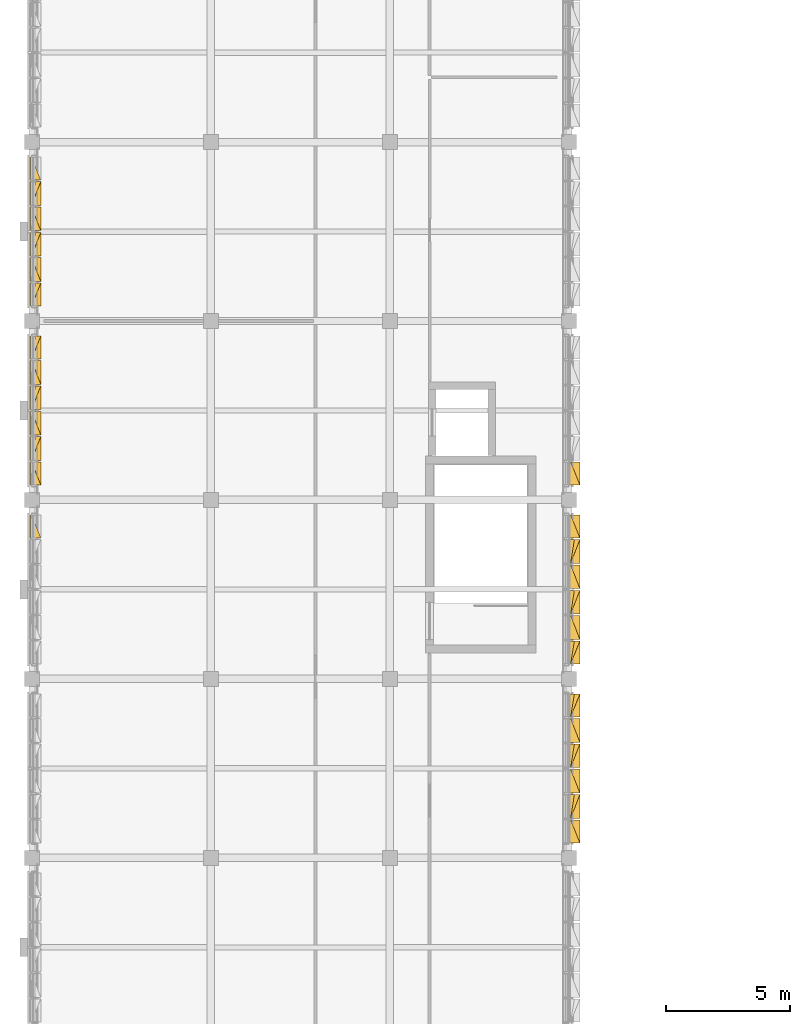
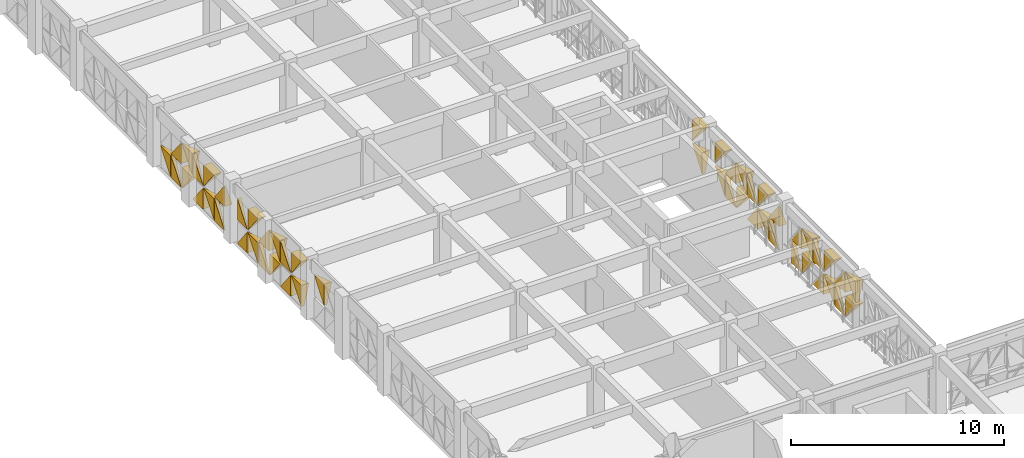
# One storey, part 71 of 74: 50 coverings.
"""IFC4 building model written with IfcOpenShell, lengths in metres."""

from ifc_helpers import new_model, si_unit, direction, frame, origin, place, context, subcontext, project, spatial, polygons, material, layer, layer_set, type_object, element, save


model = new_model("IFC4")

# Units and contexts
model_context = context("Model", 3, precision=1e-05, world=origin(), true_north=direction((0.0, 1.0)))
body_context = subcontext(model_context, "Body", "Model", "MODEL_VIEW")
ifc_project = project(units=[si_unit("LENGTHUNIT", "METRE"), si_unit("AREAUNIT", "SQUARE_METRE"), si_unit("VOLUMEUNIT", "CUBIC_METRE"), si_unit("PLANEANGLEUNIT", "RADIAN"), si_unit("MASSUNIT", "GRAM", prefix="KILO")], contexts=[model_context])

# Site, building, storey
site_placement = place(None, origin())
site = spatial("IfcSite", under=ifc_project, at=site_placement, CompositionType="ELEMENT")
building_placement = place(site_placement, origin())
building = spatial("IfcBuilding", under=site, at=building_placement, Name="Alvorim Cloister Faculty of Sciences", CompositionType="ELEMENT")
storey_placement = place(building_placement, frame((0.0, 0.0, 15.75)))
storey = spatial("IfcBuildingStorey", under=building, at=storey_placement, Name="L04", CompositionType="ELEMENT", Elevation=15.75)

# Coverings
ifc_material = material(Name="Perforated Bronze Alloy Sheet", Category="metal")
ifc_layer = layer(ifc_material, 0.0380859375)
ifc_layer_set = layer_set([ifc_layer], Name="Perforated Bronze Alloy Sheet")
covering_type = type_object("IfcCoveringType", Name="COV-TRI-BRZ", PredefinedType="CLADDING", material=ifc_layer_set)
covering_1_placement = place(storey_placement, frame((-0.044921875, 76.472412109375, 1.4951171875), z_axis=(0.0, 0.0, 1.0), x_axis=(0.0, 1.0, 0.0)))
element("IfcCovering", 1, at=covering_1_placement, inside=storey, type_object=covering_type, Name="Diagonal Solid Metal Triangle TRI-TL", PredefinedType="CLADDING", context=body_context, shape_type="Tessellation", body=[
    polygons([(0.920607421875, 0.0260009765625, 1.21484375), (0.0, 0.0260009765625, 1.21484375), (0.0, 0.0260009765625, 0.002), (0.920607421875, -0.03, 1.21484375), (0.0, -0.4, 1.21484375), (0.0, -0.13999999999999999, 0.002)], [[[1, 3, 2]], [[4, 5, 6]], [[1, 2, 5, 4]], [[2, 3, 6, 5]], [[3, 1, 4, 6]]], closed=True),
])
covering_2_placement = place(storey_placement, frame((-0.044921875, 78.60498046875, 0.139892578125), z_axis=(0.0, 0.0, 1.0), x_axis=(0.0, 1.0, 0.0)))
element("IfcCovering", 2, at=covering_2_placement, inside=storey, type_object=covering_type, Name="Diagonal Solid Metal Triangle TRI-TL", PredefinedType="CLADDING", context=body_context, shape_type="Tessellation", body=[
    polygons([(0.920607421875, 0.0260009765625, 1.215087890625), (0.0, 0.0260009765625, 1.215087890625), (0.0, 0.0260009765625, 0.002), (0.920607421875, -0.03, 1.215087890625), (0.0, -0.4, 1.215087890625), (0.0, -0.13999999999999999, 0.002)], [[[1, 3, 2]], [[4, 5, 6]], [[1, 2, 5, 4]], [[2, 3, 6, 5]], [[3, 1, 4, 6]]], closed=True),
])
covering_3_placement = place(storey_placement, frame((-0.044921875, 78.60498046875, 1.4951171875), z_axis=(0.0, 0.0, 1.0), x_axis=(0.0, 1.0, 0.0)))
element("IfcCovering", 3, at=covering_3_placement, inside=storey, type_object=covering_type, Name="Diagonal Solid Metal Triangle TRI-TR", PredefinedType="CLADDING", context=body_context, shape_type="Tessellation", body=[
    polygons([(0.922607421875, 0.0260009765625, 0.002), (0.922607421875, 0.0260009765625, 1.21484375), (0.002, 0.0260009765625, 1.21484375), (0.922607421875, -0.03, 0.002), (0.922607421875, -0.4, 1.21484375), (0.002, -0.4, 1.21484375)], [[[1, 3, 2]], [[4, 5, 6]], [[1, 2, 5, 4]], [[2, 3, 6, 5]], [[3, 1, 4, 6]]], closed=True),
])
covering_4_placement = place(storey_placement, frame((-0.044921875, 79.592529296875, 0.139892578125), z_axis=(0.0, 0.0, 1.0), x_axis=(0.0, 1.0, 0.0)))
element("IfcCovering", 4, at=covering_4_placement, inside=storey, type_object=covering_type, Name="Diagonal Solid Metal Triangle TRI-BL", PredefinedType="CLADDING", context=body_context, shape_type="Tessellation", body=[
    polygons([(0.0, 0.0260009765625, 0.0), (0.953078125, 0.0260009765625, 0.0), (0.0, 0.0260009765625, 1.213087890625), (0.0, -0.4, 0.0), (0.953078125, -0.4, 0.0), (0.0, -0.03, 1.213087890625)], [[[1, 3, 2]], [[4, 5, 6]], [[1, 2, 5, 4]], [[2, 3, 6, 5]], [[3, 1, 4, 6]]], closed=True),
])
covering_5_placement = place(storey_placement, frame((-0.044921875, 79.592529296875, 1.4951171875), z_axis=(0.0, 0.0, 1.0), x_axis=(0.0, 1.0, 0.0)))
element("IfcCovering", 5, at=covering_5_placement, inside=storey, type_object=covering_type, Name="Diagonal Solid Metal Triangle TRI-BR", PredefinedType="CLADDING", context=body_context, shape_type="Tessellation", body=[
    polygons([(0.002, 0.0260009765625, 0.0), (0.955078125, 0.0260009765625, 0.0), (0.955078125, 0.0260009765625, 1.21284375), (0.002, -0.03, 0.0), (0.955078125, -0.4, 0.0), (0.955078125, -0.18000000000000002, 1.21284375)], [[[1, 3, 2]], [[4, 5, 6]], [[1, 2, 5, 4]], [[2, 3, 6, 5]], [[3, 1, 4, 6]]], closed=True),
])
covering_6_placement = place(storey_placement, frame((-0.044921875, 80.612548828125, 0.139892578125), z_axis=(0.0, 0.0, 1.0), x_axis=(0.0, 1.0, 0.0)))
element("IfcCovering", 6, at=covering_6_placement, inside=storey, type_object=covering_type, Name="Diagonal Solid Metal Triangle TRI-TR", PredefinedType="CLADDING", context=body_context, shape_type="Tessellation", body=[
    polygons([(0.955078125, 0.0260009765625, 0.002), (0.955078125, 0.0260009765625, 1.215087890625), (0.002, 0.0260009765625, 1.215087890625), (0.955078125, -0.03, 0.002), (0.955078125, -0.4, 1.215087890625), (0.002, -0.4, 1.215087890625)], [[[1, 3, 2]], [[4, 5, 6]], [[1, 2, 5, 4]], [[2, 3, 6, 5]], [[3, 1, 4, 6]]], closed=True),
])
covering_7_placement = place(storey_placement, frame((-0.044921875, 80.612548828125, 1.4951171875), z_axis=(0.0, 0.0, 1.0), x_axis=(0.0, 1.0, 0.0)))
element("IfcCovering", 7, at=covering_7_placement, inside=storey, type_object=covering_type, Name="Diagonal Solid Metal Triangle TRI-TL", PredefinedType="CLADDING", context=body_context, shape_type="Tessellation", body=[
    polygons([(0.953078125, 0.0260009765625, 1.21484375), (0.0, 0.0260009765625, 1.21484375), (0.0, 0.0260009765625, 0.002), (0.953078125, -0.03, 1.21484375), (0.0, -0.4, 1.21484375), (0.0, -0.13999999999999999, 0.002)], [[[1, 3, 2]], [[4, 5, 6]], [[1, 2, 5, 4]], [[2, 3, 6, 5]], [[3, 1, 4, 6]]], closed=True),
])
covering_8_placement = place(storey_placement, frame((-0.044921875, 81.632568359375, 0.139892578125), z_axis=(0.0, 0.0, 1.0), x_axis=(0.0, 1.0, 0.0)))
element("IfcCovering", 8, at=covering_8_placement, inside=storey, type_object=covering_type, Name="Diagonal Solid Metal Triangle TRI-BR", PredefinedType="CLADDING", context=body_context, shape_type="Tessellation", body=[
    polygons([(0.002, 0.0260009765625, 0.0), (0.955078125, 0.0260009765625, 0.0), (0.955078125, 0.0260009765625, 1.213087890625), (0.002, -0.03, 0.0), (0.955078125, -0.4, 0.0), (0.955078125, -0.18000000000000002, 1.213087890625)], [[[1, 3, 2]], [[4, 5, 6]], [[1, 2, 5, 4]], [[2, 3, 6, 5]], [[3, 1, 4, 6]]], closed=True),
])
covering_9_placement = place(storey_placement, frame((-0.044921875, 81.632568359375, 1.4951171875), z_axis=(0.0, 0.0, 1.0), x_axis=(0.0, 1.0, 0.0)))
element("IfcCovering", 9, at=covering_9_placement, inside=storey, type_object=covering_type, Name="Diagonal Solid Metal Triangle TRI-BL", PredefinedType="CLADDING", context=body_context, shape_type="Tessellation", body=[
    polygons([(0.0, 0.0260009765625, 0.0), (0.953078125, 0.0260009765625, 0.0), (0.0, 0.0260009765625, 1.21284375), (0.0, -0.4, 0.0), (0.953078125, -0.4, 0.0), (0.0, -0.03, 1.21284375)], [[[1, 3, 2]], [[4, 5, 6]], [[1, 2, 5, 4]], [[2, 3, 6, 5]], [[3, 1, 4, 6]]], closed=True),
])
covering_10_placement = place(storey_placement, frame((-0.044921875, 82.652587890625, 0.139892578125), z_axis=(0.0, 0.0, 1.0), x_axis=(0.0, 1.0, 0.0)))
element("IfcCovering", 10, at=covering_10_placement, inside=storey, type_object=covering_type, Name="Diagonal Solid Metal Triangle TRI-TL", PredefinedType="CLADDING", context=body_context, shape_type="Tessellation", body=[
    polygons([(0.953078125, 0.0260009765625, 1.215087890625), (0.0, 0.0260009765625, 1.215087890625), (0.0, 0.0260009765625, 0.002), (0.953078125, -0.03, 1.215087890625), (0.0, -0.4, 1.215087890625), (0.0, -0.13999999999999999, 0.002)], [[[1, 3, 2]], [[4, 5, 6]], [[1, 2, 5, 4]], [[2, 3, 6, 5]], [[3, 1, 4, 6]]], closed=True),
])
covering_11_placement = place(storey_placement, frame((-0.044921875, 82.652587890625, 1.4951171875), z_axis=(0.0, 0.0, 1.0), x_axis=(0.0, 1.0, 0.0)))
element("IfcCovering", 11, at=covering_11_placement, inside=storey, type_object=covering_type, Name="Diagonal Solid Metal Triangle TRI-TR", PredefinedType="CLADDING", context=body_context, shape_type="Tessellation", body=[
    polygons([(0.955078125, 0.0260009765625, 0.002), (0.955078125, 0.0260009765625, 1.21484375), (0.002, 0.0260009765625, 1.21484375), (0.955078125, -0.03, 0.002), (0.955078125, -0.4, 1.21484375), (0.002, -0.4, 1.21484375)], [[[1, 3, 2]], [[4, 5, 6]], [[1, 2, 5, 4]], [[2, 3, 6, 5]], [[3, 1, 4, 6]]], closed=True),
])
covering_12_placement = place(storey_placement, frame((-0.044921875, 83.672607421875, 0.139892578125), z_axis=(0.0, 0.0, 1.0), x_axis=(0.0, 1.0, 0.0)))
element("IfcCovering", 12, at=covering_12_placement, inside=storey, type_object=covering_type, Name="Diagonal Solid Metal Triangle TRI-BL", PredefinedType="CLADDING", context=body_context, shape_type="Tessellation", body=[
    polygons([(0.0, 0.0260009765625, 0.0), (0.920607421875, 0.0260009765625, 0.0), (0.0, 0.0260009765625, 1.213087890625), (0.0, -0.4, 0.0), (0.920607421875, -0.4, 0.0), (0.0, -0.03, 1.213087890625)], [[[1, 3, 2]], [[4, 5, 6]], [[1, 2, 5, 4]], [[2, 3, 6, 5]], [[3, 1, 4, 6]]], closed=True),
])
covering_13_placement = place(storey_placement, frame((-0.044921875, 83.672607421875, 1.4951171875), z_axis=(0.0, 0.0, 1.0), x_axis=(0.0, 1.0, 0.0)))
element("IfcCovering", 13, at=covering_13_placement, inside=storey, type_object=covering_type, Name="Diagonal Solid Metal Triangle TRI-BR", PredefinedType="CLADDING", context=body_context, shape_type="Tessellation", body=[
    polygons([(0.002, 0.0260009765625, 0.0), (0.922607421875, 0.0260009765625, 0.0), (0.922607421875, 0.0260009765625, 1.21284375), (0.002, -0.03, 0.0), (0.922607421875, -0.4, 0.0), (0.922607421875, -0.18000000000000002, 1.21284375)], [[[1, 3, 2]], [[4, 5, 6]], [[1, 2, 5, 4]], [[2, 3, 6, 5]], [[3, 1, 4, 6]]], closed=True),
])
covering_14_placement = place(storey_placement, frame((-0.044921875, 85.804931640625, 0.139892578125), z_axis=(0.0, 0.0, 1.0), x_axis=(0.0, 1.0, 0.0)))
element("IfcCovering", 14, at=covering_14_placement, inside=storey, type_object=covering_type, Name="Diagonal Solid Metal Triangle TRI-BR", PredefinedType="CLADDING", context=body_context, shape_type="Tessellation", body=[
    polygons([(0.002, 0.0260009765625, 0.0), (0.922607421875, 0.0260009765625, 0.0), (0.922607421875, 0.0260009765625, 1.213087890625), (0.002, -0.03, 0.0), (0.922607421875, -0.4, 0.0), (0.922607421875, -0.18000000000000002, 1.213087890625)], [[[1, 3, 2]], [[4, 5, 6]], [[1, 2, 5, 4]], [[2, 3, 6, 5]], [[3, 1, 4, 6]]], closed=True),
])
covering_15_placement = place(storey_placement, frame((-0.044921875, 85.804931640625, 1.4951171875), z_axis=(0.0, 0.0, 1.0), x_axis=(0.0, 1.0, 0.0)))
element("IfcCovering", 15, at=covering_15_placement, inside=storey, type_object=covering_type, Name="Diagonal Solid Metal Triangle TRI-BL", PredefinedType="CLADDING", context=body_context, shape_type="Tessellation", body=[
    polygons([(0.0, 0.0260009765625, 0.0), (0.920607421875, 0.0260009765625, 0.0), (0.0, 0.0260009765625, 1.21284375), (0.0, -0.4, 0.0), (0.920607421875, -0.4, 0.0), (0.0, -0.03, 1.21284375)], [[[1, 3, 2]], [[4, 5, 6]], [[1, 2, 5, 4]], [[2, 3, 6, 5]], [[3, 1, 4, 6]]], closed=True),
])
covering_16_placement = place(storey_placement, frame((-0.044921875, 86.79248046875, 0.139892578125), z_axis=(0.0, 0.0, 1.0), x_axis=(0.0, 1.0, 0.0)))
element("IfcCovering", 16, at=covering_16_placement, inside=storey, type_object=covering_type, Name="Diagonal Solid Metal Triangle TRI-TL", PredefinedType="CLADDING", context=body_context, shape_type="Tessellation", body=[
    polygons([(0.953078125, 0.0260009765625, 1.215087890625), (0.0, 0.0260009765625, 1.215087890625), (0.0, 0.0260009765625, 0.002), (0.953078125, -0.03, 1.215087890625), (0.0, -0.4, 1.215087890625), (0.0, -0.13999999999999999, 0.002)], [[[1, 3, 2]], [[4, 5, 6]], [[1, 2, 5, 4]], [[2, 3, 6, 5]], [[3, 1, 4, 6]]], closed=True),
])
covering_17_placement = place(storey_placement, frame((-0.044921875, 86.79248046875, 1.4951171875), z_axis=(0.0, 0.0, 1.0), x_axis=(0.0, 1.0, 0.0)))
element("IfcCovering", 17, at=covering_17_placement, inside=storey, type_object=covering_type, Name="Diagonal Solid Metal Triangle TRI-TR", PredefinedType="CLADDING", context=body_context, shape_type="Tessellation", body=[
    polygons([(0.955078125, 0.0260009765625, 0.002), (0.955078125, 0.0260009765625, 1.21484375), (0.002, 0.0260009765625, 1.21484375), (0.955078125, -0.03, 0.002), (0.955078125, -0.4, 1.21484375), (0.002, -0.4, 1.21484375)], [[[1, 3, 2]], [[4, 5, 6]], [[1, 2, 5, 4]], [[2, 3, 6, 5]], [[3, 1, 4, 6]]], closed=True),
])
covering_18_placement = place(storey_placement, frame((-0.044921875, 87.8125, 0.139892578125), z_axis=(0.0, 0.0, 1.0), x_axis=(0.0, 1.0, 0.0)))
element("IfcCovering", 18, at=covering_18_placement, inside=storey, type_object=covering_type, Name="Diagonal Solid Metal Triangle TRI-BL", PredefinedType="CLADDING", context=body_context, shape_type="Tessellation", body=[
    polygons([(0.0, 0.0260009765625, 0.0), (0.953078125, 0.0260009765625, 0.0), (0.0, 0.0260009765625, 1.213087890625), (0.0, -0.4, 0.0), (0.953078125, -0.4, 0.0), (0.0, -0.03, 1.213087890625)], [[[1, 3, 2]], [[4, 5, 6]], [[1, 2, 5, 4]], [[2, 3, 6, 5]], [[3, 1, 4, 6]]], closed=True),
])
covering_19_placement = place(storey_placement, frame((-0.044921875, 87.8125, 1.4951171875), z_axis=(0.0, 0.0, 1.0), x_axis=(0.0, 1.0, 0.0)))
element("IfcCovering", 19, at=covering_19_placement, inside=storey, type_object=covering_type, Name="Diagonal Solid Metal Triangle TRI-BR", PredefinedType="CLADDING", context=body_context, shape_type="Tessellation", body=[
    polygons([(0.002, 0.0260009765625, 0.0), (0.955078125, 0.0260009765625, 0.0), (0.955078125, 0.0260009765625, 1.21284375), (0.002, -0.03, 0.0), (0.955078125, -0.4, 0.0), (0.955078125, -0.18000000000000002, 1.21284375)], [[[1, 3, 2]], [[4, 5, 6]], [[1, 2, 5, 4]], [[2, 3, 6, 5]], [[3, 1, 4, 6]]], closed=True),
])
covering_20_placement = place(storey_placement, frame((-0.044921875, 88.83251953125, 0.139892578125), z_axis=(0.0, 0.0, 1.0), x_axis=(0.0, 1.0, 0.0)))
element("IfcCovering", 20, at=covering_20_placement, inside=storey, type_object=covering_type, Name="Diagonal Solid Metal Triangle TRI-TR", PredefinedType="CLADDING", context=body_context, shape_type="Tessellation", body=[
    polygons([(0.955078125, 0.0260009765625, 0.002), (0.955078125, 0.0260009765625, 1.215087890625), (0.002, 0.0260009765625, 1.215087890625), (0.955078125, -0.03, 0.002), (0.955078125, -0.4, 1.215087890625), (0.002, -0.4, 1.215087890625)], [[[1, 3, 2]], [[4, 5, 6]], [[1, 2, 5, 4]], [[2, 3, 6, 5]], [[3, 1, 4, 6]]], closed=True),
])
covering_21_placement = place(storey_placement, frame((-0.044921875, 88.83251953125, 1.4951171875), z_axis=(0.0, 0.0, 1.0), x_axis=(0.0, 1.0, 0.0)))
element("IfcCovering", 21, at=covering_21_placement, inside=storey, type_object=covering_type, Name="Diagonal Solid Metal Triangle TRI-TL", PredefinedType="CLADDING", context=body_context, shape_type="Tessellation", body=[
    polygons([(0.953078125, 0.0260009765625, 1.21484375), (0.0, 0.0260009765625, 1.21484375), (0.0, 0.0260009765625, 0.002), (0.953078125, -0.03, 1.21484375), (0.0, -0.4, 1.21484375), (0.0, -0.13999999999999999, 0.002)], [[[1, 3, 2]], [[4, 5, 6]], [[1, 2, 5, 4]], [[2, 3, 6, 5]], [[3, 1, 4, 6]]], closed=True),
])
covering_22_placement = place(storey_placement, frame((-0.044921875, 89.8525390625, 0.139892578125), z_axis=(0.0, 0.0, 1.0), x_axis=(0.0, 1.0, 0.0)))
element("IfcCovering", 22, at=covering_22_placement, inside=storey, type_object=covering_type, Name="Diagonal Solid Metal Triangle TRI-BR", PredefinedType="CLADDING", context=body_context, shape_type="Tessellation", body=[
    polygons([(0.002, 0.0260009765625, 0.0), (0.955078125, 0.0260009765625, 0.0), (0.955078125, 0.0260009765625, 1.213087890625), (0.002, -0.03, 0.0), (0.955078125, -0.4, 0.0), (0.955078125, -0.18000000000000002, 1.213087890625)], [[[1, 3, 2]], [[4, 5, 6]], [[1, 2, 5, 4]], [[2, 3, 6, 5]], [[3, 1, 4, 6]]], closed=True),
])
covering_23_placement = place(storey_placement, frame((-0.044921875, 89.8525390625, 1.4951171875), z_axis=(0.0, 0.0, 1.0), x_axis=(0.0, 1.0, 0.0)))
element("IfcCovering", 23, at=covering_23_placement, inside=storey, type_object=covering_type, Name="Diagonal Solid Metal Triangle TRI-BL", PredefinedType="CLADDING", context=body_context, shape_type="Tessellation", body=[
    polygons([(0.0, 0.0260009765625, 0.0), (0.953078125, 0.0260009765625, 0.0), (0.0, 0.0260009765625, 1.21284375), (0.0, -0.4, 0.0), (0.953078125, -0.4, 0.0), (0.0, -0.03, 1.21284375)], [[[1, 3, 2]], [[4, 5, 6]], [[1, 2, 5, 4]], [[2, 3, 6, 5]], [[3, 1, 4, 6]]], closed=True),
])
for number, where, z_axis, x_axis, name in (
    (24, (-0.044921875, 90.87255859375, 0.139892578125), (0.0, 0.0, 1.0), (0.0, 1.0, 0.0), "Diagonal Solid Metal Triangle TRI-TL"),
    (25, (21.64501953125, 78.60498046875, 0.139892578125), (0.0, 0.0, 1.0), (0.0, 1.0, 0.0), "Diagonal Solid Metal Triangle TRI-TL"),
):
    element("IfcCovering", number, at=place(storey_placement, frame(where, z_axis=z_axis, x_axis=x_axis)), inside=storey, type_object=covering_type, Name=name, PredefinedType="CLADDING", context=body_context, shape_type="Tessellation", body=[
        polygons([(0.920607421875, 0.0260009765625, 1.215087890625), (0.0, 0.0260009765625, 1.215087890625), (0.0, 0.0260009765625, 0.002), (0.920607421875, -0.03, 1.215087890625), (0.0, -0.4, 1.215087890625), (0.0, -0.13999999999999999, 0.002)], [[[1, 3, 2]], [[4, 5, 6]], [[1, 2, 5, 4]], [[2, 3, 6, 5]], [[3, 1, 4, 6]]], closed=True),
    ])
covering_24_placement = place(storey_placement, frame((21.64501953125, 78.60498046875, 1.4951171875), z_axis=(0.0, 0.0, 1.0), x_axis=(0.0, 1.0, 0.0)))
element("IfcCovering", 26, at=covering_24_placement, inside=storey, type_object=covering_type, Name="Diagonal Solid Metal Triangle TRI-TR", PredefinedType="CLADDING", context=body_context, shape_type="Tessellation", body=[
    polygons([(0.922607421875, 0.0260009765625, 0.002), (0.922607421875, 0.0260009765625, 1.21484375), (0.002, 0.0260009765625, 1.21484375), (0.922607421875, -0.03, 0.002), (0.922607421875, -0.4, 1.21484375), (0.002, -0.4, 1.21484375)], [[[1, 3, 2]], [[4, 5, 6]], [[1, 2, 5, 4]], [[2, 3, 6, 5]], [[3, 1, 4, 6]]], closed=True),
])
covering_25_placement = place(storey_placement, frame((21.64501953125, 71.405029296875, 0.139892578125), z_axis=(0.0, 0.0, 1.0), x_axis=(0.0, 1.0, 0.0)))
element("IfcCovering", 27, at=covering_25_placement, inside=storey, type_object=covering_type, Name="Diagonal Solid Metal Triangle TRI-BR", PredefinedType="CLADDING", context=body_context, shape_type="Tessellation", body=[
    polygons([(0.002, 0.0260009765625, 0.0), (0.922607421875, 0.0260009765625, 0.0), (0.922607421875, 0.0260009765625, 1.213087890625), (0.002, -0.03, 0.0), (0.922607421875, -0.4, 0.0), (0.922607421875, -0.18000000000000002, 1.213087890625)], [[[1, 3, 2]], [[4, 5, 6]], [[1, 2, 5, 4]], [[2, 3, 6, 5]], [[3, 1, 4, 6]]], closed=True),
])
covering_26_placement = place(storey_placement, frame((21.64501953125, 71.405029296875, 1.4951171875), z_axis=(0.0, 0.0, 1.0), x_axis=(0.0, 1.0, 0.0)))
element("IfcCovering", 28, at=covering_26_placement, inside=storey, type_object=covering_type, Name="Diagonal Solid Metal Triangle TRI-BL", PredefinedType="CLADDING", context=body_context, shape_type="Tessellation", body=[
    polygons([(0.0, 0.0260009765625, 0.0), (0.920607421875, 0.0260009765625, 0.0), (0.0, 0.0260009765625, 1.21284375), (0.0, -0.4, 0.0), (0.920607421875, -0.4, 0.0), (0.0, -0.03, 1.21284375)], [[[1, 3, 2]], [[4, 5, 6]], [[1, 2, 5, 4]], [[2, 3, 6, 5]], [[3, 1, 4, 6]]], closed=True),
])
covering_27_placement = place(storey_placement, frame((21.64501953125, 72.392578125, 0.139892578125), z_axis=(0.0, 0.0, 1.0), x_axis=(0.0, 1.0, 0.0)))
element("IfcCovering", 29, at=covering_27_placement, inside=storey, type_object=covering_type, Name="Diagonal Solid Metal Triangle TRI-TL", PredefinedType="CLADDING", context=body_context, shape_type="Tessellation", body=[
    polygons([(0.953078125, 0.0260009765625, 1.215087890625), (0.0, 0.0260009765625, 1.215087890625), (0.0, 0.0260009765625, 0.002), (0.953078125, -0.03, 1.215087890625), (0.0, -0.4, 1.215087890625), (0.0, -0.13999999999999999, 0.002)], [[[1, 3, 2]], [[4, 5, 6]], [[1, 2, 5, 4]], [[2, 3, 6, 5]], [[3, 1, 4, 6]]], closed=True),
])
covering_28_placement = place(storey_placement, frame((21.64501953125, 72.392578125, 1.4951171875), z_axis=(0.0, 0.0, 1.0), x_axis=(0.0, 1.0, 0.0)))
element("IfcCovering", 30, at=covering_28_placement, inside=storey, type_object=covering_type, Name="Diagonal Solid Metal Triangle TRI-TR", PredefinedType="CLADDING", context=body_context, shape_type="Tessellation", body=[
    polygons([(0.955078125, 0.0260009765625, 0.002), (0.955078125, 0.0260009765625, 1.21484375), (0.002, 0.0260009765625, 1.21484375), (0.955078125, -0.03, 0.002), (0.955078125, -0.4, 1.21484375), (0.002, -0.4, 1.21484375)], [[[1, 3, 2]], [[4, 5, 6]], [[1, 2, 5, 4]], [[2, 3, 6, 5]], [[3, 1, 4, 6]]], closed=True),
])
covering_29_placement = place(storey_placement, frame((21.64501953125, 73.41259765625, 0.139892578125), z_axis=(0.0, 0.0, 1.0), x_axis=(0.0, 1.0, 0.0)))
element("IfcCovering", 31, at=covering_29_placement, inside=storey, type_object=covering_type, Name="Diagonal Solid Metal Triangle TRI-BL", PredefinedType="CLADDING", context=body_context, shape_type="Tessellation", body=[
    polygons([(0.0, 0.0260009765625, 0.0), (0.953078125, 0.0260009765625, 0.0), (0.0, 0.0260009765625, 1.213087890625), (0.0, -0.4, 0.0), (0.953078125, -0.4, 0.0), (0.0, -0.03, 1.213087890625)], [[[1, 3, 2]], [[4, 5, 6]], [[1, 2, 5, 4]], [[2, 3, 6, 5]], [[3, 1, 4, 6]]], closed=True),
])
covering_30_placement = place(storey_placement, frame((21.64501953125, 73.41259765625, 1.4951171875), z_axis=(0.0, 0.0, 1.0), x_axis=(0.0, 1.0, 0.0)))
element("IfcCovering", 32, at=covering_30_placement, inside=storey, type_object=covering_type, Name="Diagonal Solid Metal Triangle TRI-BR", PredefinedType="CLADDING", context=body_context, shape_type="Tessellation", body=[
    polygons([(0.002, 0.0260009765625, 0.0), (0.955078125, 0.0260009765625, 0.0), (0.955078125, 0.0260009765625, 1.21284375), (0.002, -0.03, 0.0), (0.955078125, -0.4, 0.0), (0.955078125, -0.18000000000000002, 1.21284375)], [[[1, 3, 2]], [[4, 5, 6]], [[1, 2, 5, 4]], [[2, 3, 6, 5]], [[3, 1, 4, 6]]], closed=True),
])
covering_31_placement = place(storey_placement, frame((21.64501953125, 74.4326171875, 0.139892578125), z_axis=(0.0, 0.0, 1.0), x_axis=(0.0, 1.0, 0.0)))
element("IfcCovering", 33, at=covering_31_placement, inside=storey, type_object=covering_type, Name="Diagonal Solid Metal Triangle TRI-TR", PredefinedType="CLADDING", context=body_context, shape_type="Tessellation", body=[
    polygons([(0.955078125, 0.0260009765625, 0.002), (0.955078125, 0.0260009765625, 1.215087890625), (0.002, 0.0260009765625, 1.215087890625), (0.955078125, -0.03, 0.002), (0.955078125, -0.4, 1.215087890625), (0.002, -0.4, 1.215087890625)], [[[1, 3, 2]], [[4, 5, 6]], [[1, 2, 5, 4]], [[2, 3, 6, 5]], [[3, 1, 4, 6]]], closed=True),
])
covering_32_placement = place(storey_placement, frame((21.64501953125, 74.4326171875, 1.4951171875), z_axis=(0.0, 0.0, 1.0), x_axis=(0.0, 1.0, 0.0)))
element("IfcCovering", 34, at=covering_32_placement, inside=storey, type_object=covering_type, Name="Diagonal Solid Metal Triangle TRI-TL", PredefinedType="CLADDING", context=body_context, shape_type="Tessellation", body=[
    polygons([(0.953078125, 0.0260009765625, 1.21484375), (0.0, 0.0260009765625, 1.21484375), (0.0, 0.0260009765625, 0.002), (0.953078125, -0.03, 1.21484375), (0.0, -0.4, 1.21484375), (0.0, -0.13999999999999999, 0.002)], [[[1, 3, 2]], [[4, 5, 6]], [[1, 2, 5, 4]], [[2, 3, 6, 5]], [[3, 1, 4, 6]]], closed=True),
])
covering_33_placement = place(storey_placement, frame((21.64501953125, 75.452392578125, 0.139892578125), z_axis=(0.0, 0.0, 1.0), x_axis=(0.0, 1.0, 0.0)))
element("IfcCovering", 35, at=covering_33_placement, inside=storey, type_object=covering_type, Name="Diagonal Solid Metal Triangle TRI-BR", PredefinedType="CLADDING", context=body_context, shape_type="Tessellation", body=[
    polygons([(0.002, 0.0260009765625, 0.0), (0.955078125, 0.0260009765625, 0.0), (0.955078125, 0.0260009765625, 1.213087890625), (0.002, -0.03, 0.0), (0.955078125, -0.4, 0.0), (0.955078125, -0.18000000000000002, 1.213087890625)], [[[1, 3, 2]], [[4, 5, 6]], [[1, 2, 5, 4]], [[2, 3, 6, 5]], [[3, 1, 4, 6]]], closed=True),
])
covering_34_placement = place(storey_placement, frame((21.64501953125, 75.452392578125, 1.4951171875), z_axis=(0.0, 0.0, 1.0), x_axis=(0.0, 1.0, 0.0)))
element("IfcCovering", 36, at=covering_34_placement, inside=storey, type_object=covering_type, Name="Diagonal Solid Metal Triangle TRI-BL", PredefinedType="CLADDING", context=body_context, shape_type="Tessellation", body=[
    polygons([(0.0, 0.0260009765625, 0.0), (0.953078125, 0.0260009765625, 0.0), (0.0, 0.0260009765625, 1.21284375), (0.0, -0.4, 0.0), (0.953078125, -0.4, 0.0), (0.0, -0.03, 1.21284375)], [[[1, 3, 2]], [[4, 5, 6]], [[1, 2, 5, 4]], [[2, 3, 6, 5]], [[3, 1, 4, 6]]], closed=True),
])
covering_35_placement = place(storey_placement, frame((21.64501953125, 76.472412109375, 0.139892578125), z_axis=(0.0, 0.0, 1.0), x_axis=(0.0, 1.0, 0.0)))
element("IfcCovering", 37, at=covering_35_placement, inside=storey, type_object=covering_type, Name="Diagonal Solid Metal Triangle TRI-TL", PredefinedType="CLADDING", context=body_context, shape_type="Tessellation", body=[
    polygons([(0.920607421875, 0.0260009765625, 1.215087890625), (0.0, 0.0260009765625, 1.215087890625), (0.0, 0.0260009765625, 0.002), (0.920607421875, -0.03, 1.215087890625), (0.0, -0.4, 1.215087890625), (0.0, -0.13999999999999999, 0.002)], [[[1, 3, 2]], [[4, 5, 6]], [[1, 2, 5, 4]], [[2, 3, 6, 5]], [[3, 1, 4, 6]]], closed=True),
])
covering_36_placement = place(storey_placement, frame((21.64501953125, 76.472412109375, 1.4951171875), z_axis=(0.0, 0.0, 1.0), x_axis=(0.0, 1.0, 0.0)))
element("IfcCovering", 38, at=covering_36_placement, inside=storey, type_object=covering_type, Name="Diagonal Solid Metal Triangle TRI-TR", PredefinedType="CLADDING", context=body_context, shape_type="Tessellation", body=[
    polygons([(0.922607421875, 0.0260009765625, 0.002), (0.922607421875, 0.0260009765625, 1.21484375), (0.002, 0.0260009765625, 1.21484375), (0.922607421875, -0.03, 0.002), (0.922607421875, -0.4, 1.21484375), (0.002, -0.4, 1.21484375)], [[[1, 3, 2]], [[4, 5, 6]], [[1, 2, 5, 4]], [[2, 3, 6, 5]], [[3, 1, 4, 6]]], closed=True),
])
covering_37_placement = place(storey_placement, frame((21.64501953125, 64.205078125, 0.139892578125), z_axis=(0.0, 0.0, 1.0), x_axis=(0.0, 1.0, 0.0)))
element("IfcCovering", 39, at=covering_37_placement, inside=storey, type_object=covering_type, Name="Diagonal Solid Metal Triangle TRI-TR", PredefinedType="CLADDING", context=body_context, shape_type="Tessellation", body=[
    polygons([(0.922607421875, 0.0260009765625, 0.002), (0.922607421875, 0.0260009765625, 1.215087890625), (0.002, 0.0260009765625, 1.215087890625), (0.922607421875, -0.03, 0.002), (0.922607421875, -0.4, 1.215087890625), (0.002, -0.4, 1.215087890625)], [[[1, 3, 2]], [[4, 5, 6]], [[1, 2, 5, 4]], [[2, 3, 6, 5]], [[3, 1, 4, 6]]], closed=True),
])
covering_38_placement = place(storey_placement, frame((21.64501953125, 64.205078125, 1.4951171875), z_axis=(0.0, 0.0, 1.0), x_axis=(0.0, 1.0, 0.0)))
element("IfcCovering", 40, at=covering_38_placement, inside=storey, type_object=covering_type, Name="Diagonal Solid Metal Triangle TRI-TL", PredefinedType="CLADDING", context=body_context, shape_type="Tessellation", body=[
    polygons([(0.920607421875, 0.0260009765625, 1.21484375), (0.0, 0.0260009765625, 1.21484375), (0.0, 0.0260009765625, 0.002), (0.920607421875, -0.03, 1.21484375), (0.0, -0.4, 1.21484375), (0.0, -0.13999999999999999, 0.002)], [[[1, 3, 2]], [[4, 5, 6]], [[1, 2, 5, 4]], [[2, 3, 6, 5]], [[3, 1, 4, 6]]], closed=True),
])
covering_39_placement = place(storey_placement, frame((21.64501953125, 65.1923828125, 0.139892578125), z_axis=(0.0, 0.0, 1.0), x_axis=(0.0, 1.0, 0.0)))
element("IfcCovering", 41, at=covering_39_placement, inside=storey, type_object=covering_type, Name="Diagonal Solid Metal Triangle TRI-BR", PredefinedType="CLADDING", context=body_context, shape_type="Tessellation", body=[
    polygons([(0.002, 0.0260009765625, 0.0), (0.955078125, 0.0260009765625, 0.0), (0.955078125, 0.0260009765625, 1.213087890625), (0.002, -0.03, 0.0), (0.955078125, -0.4, 0.0), (0.955078125, -0.18000000000000002, 1.213087890625)], [[[1, 3, 2]], [[4, 5, 6]], [[1, 2, 5, 4]], [[2, 3, 6, 5]], [[3, 1, 4, 6]]], closed=True),
])
covering_40_placement = place(storey_placement, frame((21.64501953125, 65.1923828125, 1.4951171875), z_axis=(0.0, 0.0, 1.0), x_axis=(0.0, 1.0, 0.0)))
element("IfcCovering", 42, at=covering_40_placement, inside=storey, type_object=covering_type, Name="Diagonal Solid Metal Triangle TRI-BL", PredefinedType="CLADDING", context=body_context, shape_type="Tessellation", body=[
    polygons([(0.0, 0.0260009765625, 0.0), (0.953078125, 0.0260009765625, 0.0), (0.0, 0.0260009765625, 1.21284375), (0.0, -0.4, 0.0), (0.953078125, -0.4, 0.0), (0.0, -0.03, 1.21284375)], [[[1, 3, 2]], [[4, 5, 6]], [[1, 2, 5, 4]], [[2, 3, 6, 5]], [[3, 1, 4, 6]]], closed=True),
])
covering_41_placement = place(storey_placement, frame((21.64501953125, 66.21240234375, 0.139892578125), z_axis=(0.0, 0.0, 1.0), x_axis=(0.0, 1.0, 0.0)))
element("IfcCovering", 43, at=covering_41_placement, inside=storey, type_object=covering_type, Name="Diagonal Solid Metal Triangle TRI-TL", PredefinedType="CLADDING", context=body_context, shape_type="Tessellation", body=[
    polygons([(0.953078125, 0.0260009765625, 1.215087890625), (0.0, 0.0260009765625, 1.215087890625), (0.0, 0.0260009765625, 0.002), (0.953078125, -0.03, 1.215087890625), (0.0, -0.4, 1.215087890625), (0.0, -0.13999999999999999, 0.002)], [[[1, 3, 2]], [[4, 5, 6]], [[1, 2, 5, 4]], [[2, 3, 6, 5]], [[3, 1, 4, 6]]], closed=True),
])
covering_42_placement = place(storey_placement, frame((21.64501953125, 66.21240234375, 1.4951171875), z_axis=(0.0, 0.0, 1.0), x_axis=(0.0, 1.0, 0.0)))
element("IfcCovering", 44, at=covering_42_placement, inside=storey, type_object=covering_type, Name="Diagonal Solid Metal Triangle TRI-TR", PredefinedType="CLADDING", context=body_context, shape_type="Tessellation", body=[
    polygons([(0.955078125, 0.0260009765625, 0.002), (0.955078125, 0.0260009765625, 1.21484375), (0.002, 0.0260009765625, 1.21484375), (0.955078125, -0.03, 0.002), (0.955078125, -0.4, 1.21484375), (0.002, -0.4, 1.21484375)], [[[1, 3, 2]], [[4, 5, 6]], [[1, 2, 5, 4]], [[2, 3, 6, 5]], [[3, 1, 4, 6]]], closed=True),
])
covering_43_placement = place(storey_placement, frame((21.64501953125, 67.232421875, 0.139892578125), z_axis=(0.0, 0.0, 1.0), x_axis=(0.0, 1.0, 0.0)))
element("IfcCovering", 45, at=covering_43_placement, inside=storey, type_object=covering_type, Name="Diagonal Solid Metal Triangle TRI-BL", PredefinedType="CLADDING", context=body_context, shape_type="Tessellation", body=[
    polygons([(0.0, 0.0260009765625, 0.0), (0.953078125, 0.0260009765625, 0.0), (0.0, 0.0260009765625, 1.213087890625), (0.0, -0.4, 0.0), (0.953078125, -0.4, 0.0), (0.0, -0.03, 1.213087890625)], [[[1, 3, 2]], [[4, 5, 6]], [[1, 2, 5, 4]], [[2, 3, 6, 5]], [[3, 1, 4, 6]]], closed=True),
])
covering_44_placement = place(storey_placement, frame((21.64501953125, 67.232421875, 1.4951171875), z_axis=(0.0, 0.0, 1.0), x_axis=(0.0, 1.0, 0.0)))
element("IfcCovering", 46, at=covering_44_placement, inside=storey, type_object=covering_type, Name="Diagonal Solid Metal Triangle TRI-BR", PredefinedType="CLADDING", context=body_context, shape_type="Tessellation", body=[
    polygons([(0.002, 0.0260009765625, 0.0), (0.955078125, 0.0260009765625, 0.0), (0.955078125, 0.0260009765625, 1.21284375), (0.002, -0.03, 0.0), (0.955078125, -0.4, 0.0), (0.955078125, -0.18000000000000002, 1.21284375)], [[[1, 3, 2]], [[4, 5, 6]], [[1, 2, 5, 4]], [[2, 3, 6, 5]], [[3, 1, 4, 6]]], closed=True),
])
covering_45_placement = place(storey_placement, frame((21.64501953125, 68.25244140625, 0.139892578125), z_axis=(0.0, 0.0, 1.0), x_axis=(0.0, 1.0, 0.0)))
element("IfcCovering", 47, at=covering_45_placement, inside=storey, type_object=covering_type, Name="Diagonal Solid Metal Triangle TRI-TR", PredefinedType="CLADDING", context=body_context, shape_type="Tessellation", body=[
    polygons([(0.955078125, 0.0260009765625, 0.002), (0.955078125, 0.0260009765625, 1.215087890625), (0.002, 0.0260009765625, 1.215087890625), (0.955078125, -0.03, 0.002), (0.955078125, -0.4, 1.215087890625), (0.002, -0.4, 1.215087890625)], [[[1, 3, 2]], [[4, 5, 6]], [[1, 2, 5, 4]], [[2, 3, 6, 5]], [[3, 1, 4, 6]]], closed=True),
])
covering_46_placement = place(storey_placement, frame((21.64501953125, 68.25244140625, 1.4951171875), z_axis=(0.0, 0.0, 1.0), x_axis=(0.0, 1.0, 0.0)))
element("IfcCovering", 48, at=covering_46_placement, inside=storey, type_object=covering_type, Name="Diagonal Solid Metal Triangle TRI-TL", PredefinedType="CLADDING", context=body_context, shape_type="Tessellation", body=[
    polygons([(0.953078125, 0.0260009765625, 1.21484375), (0.0, 0.0260009765625, 1.21484375), (0.0, 0.0260009765625, 0.002), (0.953078125, -0.03, 1.21484375), (0.0, -0.4, 1.21484375), (0.0, -0.13999999999999999, 0.002)], [[[1, 3, 2]], [[4, 5, 6]], [[1, 2, 5, 4]], [[2, 3, 6, 5]], [[3, 1, 4, 6]]], closed=True),
])
covering_47_placement = place(storey_placement, frame((21.64501953125, 69.2724609375, 0.139892578125), z_axis=(0.0, 0.0, 1.0), x_axis=(0.0, 1.0, 0.0)))
element("IfcCovering", 49, at=covering_47_placement, inside=storey, type_object=covering_type, Name="Diagonal Solid Metal Triangle TRI-BR", PredefinedType="CLADDING", context=body_context, shape_type="Tessellation", body=[
    polygons([(0.002, 0.0260009765625, 0.0), (0.922607421875, 0.0260009765625, 0.0), (0.922607421875, 0.0260009765625, 1.213087890625), (0.002, -0.03, 0.0), (0.922607421875, -0.4, 0.0), (0.922607421875, -0.18000000000000002, 1.213087890625)], [[[1, 3, 2]], [[4, 5, 6]], [[1, 2, 5, 4]], [[2, 3, 6, 5]], [[3, 1, 4, 6]]], closed=True),
])
covering_48_placement = place(storey_placement, frame((21.64501953125, 69.2724609375, 1.4951171875), z_axis=(0.0, 0.0, 1.0), x_axis=(0.0, 1.0, 0.0)))
element("IfcCovering", 50, at=covering_48_placement, inside=storey, type_object=covering_type, Name="Diagonal Solid Metal Triangle TRI-BL", PredefinedType="CLADDING", context=body_context, shape_type="Tessellation", body=[
    polygons([(0.0, 0.0260009765625, 0.0), (0.920607421875, 0.0260009765625, 0.0), (0.0, 0.0260009765625, 1.21284375), (0.0, -0.4, 0.0), (0.920607421875, -0.4, 0.0), (0.0, -0.03, 1.21284375)], [[[1, 3, 2]], [[4, 5, 6]], [[1, 2, 5, 4]], [[2, 3, 6, 5]], [[3, 1, 4, 6]]], closed=True),
])

save(model, "model.ifc")
